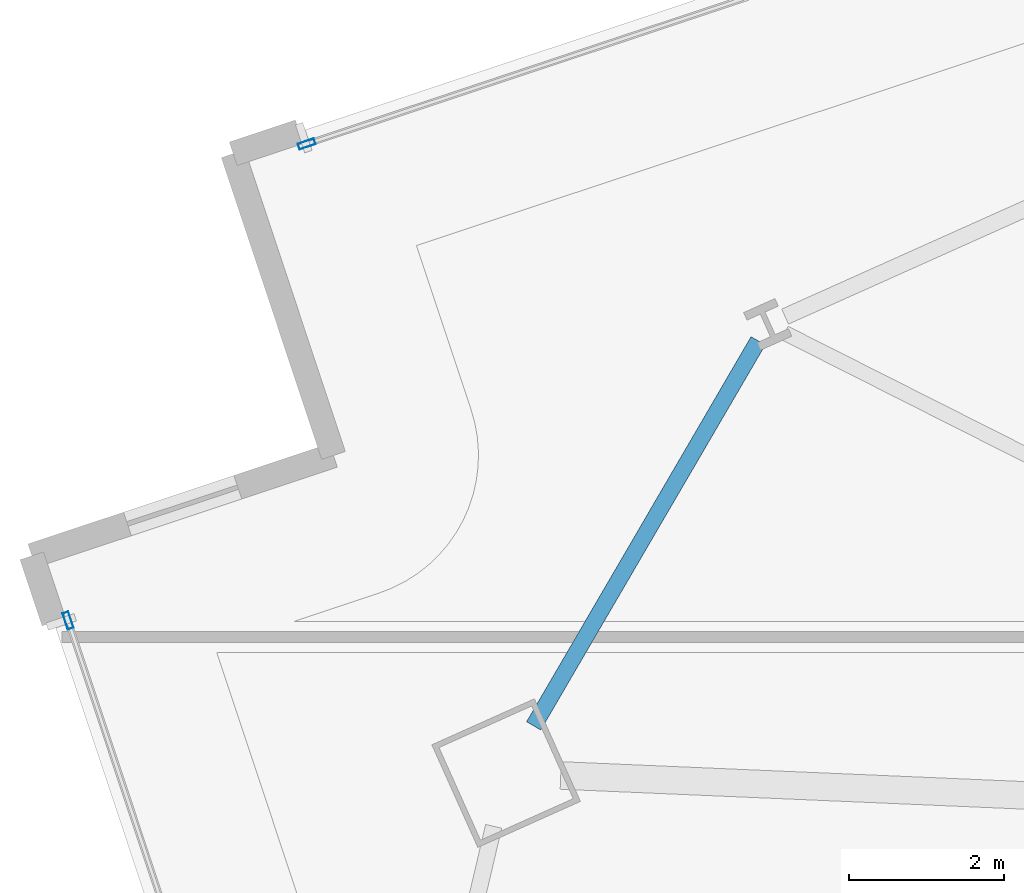
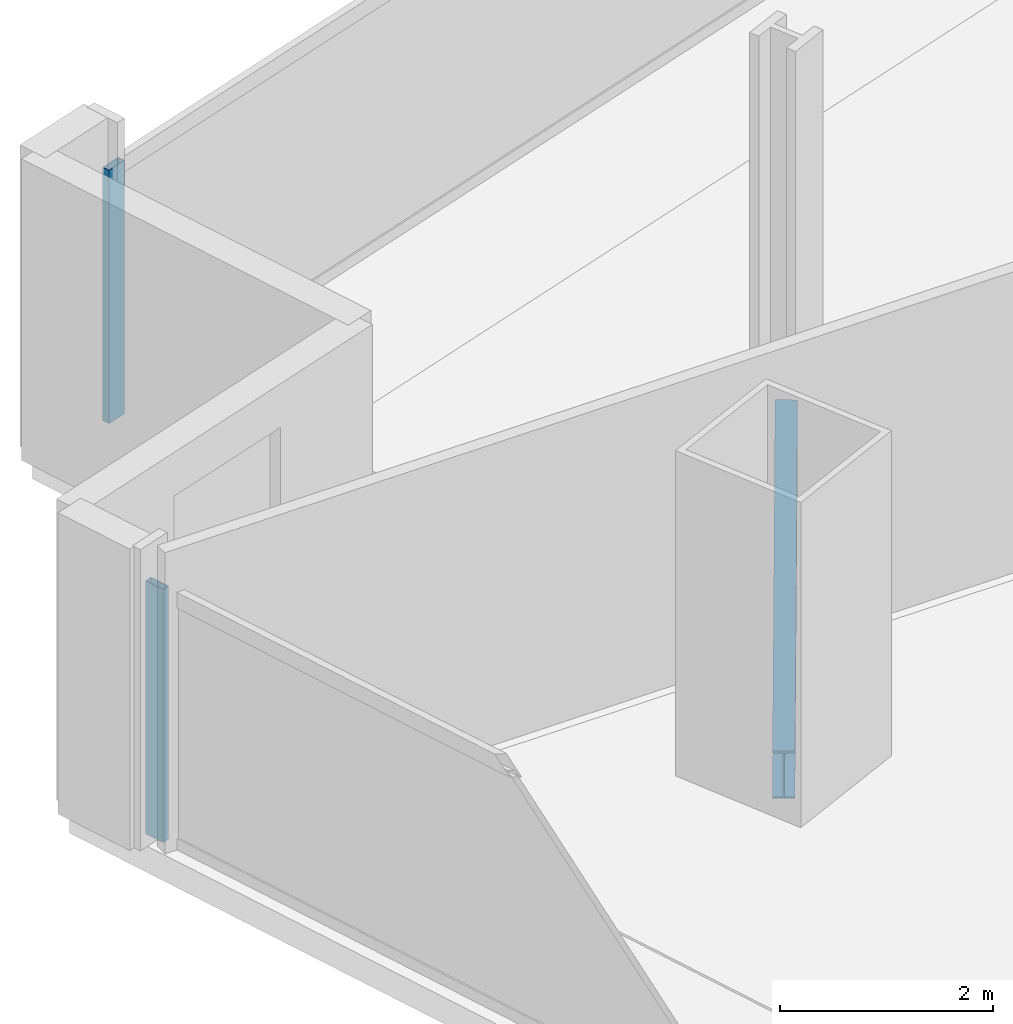
# One storey, part 16 of 34: 2 members, 1 beam, 2 elements without a shape of their own.
"""IFC4 building model written with IfcOpenShell, lengths in metres."""

from ifc_helpers import new_model, si_unit, direction, frame, origin, origin_2d, place, context, subcontext, project, spatial, hollow_rectangle, i_section, extrude, material, material_profile, profile_set, type_object, element, aggregate, save


model = new_model("IFC4")

# Units and contexts
model_context = context("Model", 3, precision=1e-05, world=origin(), true_north=direction((0.0, 1.0)))
body_context = subcontext(model_context, "Body", "Model", "MODEL_VIEW")
ifc_project = project(units=[si_unit("LENGTHUNIT", "METRE"), si_unit("AREAUNIT", "SQUARE_METRE"), si_unit("VOLUMEUNIT", "CUBIC_METRE"), si_unit("PLANEANGLEUNIT", "RADIAN"), si_unit("MASSUNIT", "GRAM", prefix="KILO")], contexts=[model_context])

# Site, building, storey
site_placement = place(None, origin())
site = spatial("IfcSite", under=ifc_project, at=site_placement, CompositionType="ELEMENT")
building_placement = place(site_placement, origin())
building = spatial("IfcBuilding", under=site, at=building_placement, Name="Haldenkirk Collegiate Tower", CompositionType="ELEMENT")
storey_placement = place(building_placement, frame((0.0, 0.0, 90.449951171875)))
storey = spatial("IfcBuildingStorey", under=building, at=storey_placement, Name="L21", CompositionType="ELEMENT", Elevation=90.449951171875)

# Beam
ifc_material_1 = material(Name="Steel ASTM A992 Grade 50", Category="steel")
ifc_material_profile_1 = material_profile(ifc_material_1, i_section(OverallWidth=0.2119140625, OverallDepth=0.5439453125, WebThickness=0.01318359375, FlangeThickness=0.021240234375, at=origin_2d()), Name="W21X83")
ifc_profile_set_1 = profile_set([ifc_material_profile_1], Name="Steel ASTM A992 Grade 50")
beam_type = type_object("IfcBeamType", Name="BM-SPANDREL-W21X83", PredefinedType="SPANDREL", material=ifc_profile_set_1)
beam_placement = place(storey_placement, frame((14.035888671875, 40.27001953125, -0.572021484375), z_axis=(-0.503649179098, -0.863908273137, 0.0), x_axis=(0.863908273137, -0.503649179098, 0.0)))
element("IfcBeam", 1, at=beam_placement, inside=storey, type_object=beam_type, Name="L21 perimeter spandrel beam 12", PredefinedType="SPANDREL", context=body_context, shape_type="SweptSolid", body=[
    extrude(i_section(OverallWidth=0.2119140625, OverallDepth=0.5439453125, WebThickness=0.01318359375, FlangeThickness=0.021240234375, at=origin_2d()), origin(), (0.0, 0.0, 1.0), 5.748046875),
])

# Curtain wall, member
ifc_material_2 = material(Name="Anodised architectural bronze aluminium", Category="aluminium")
curtain_wall_type = type_object("IfcCurtainWallType", Name="CW-SYS1-CONVEX-LOW", PredefinedType="USERDEFINED", material=ifc_material_2)
curtain_wall_1_placement = place(storey_placement, origin())
curtain_wall_1 = element("IfcCurtainWall", 2, at=curtain_wall_1_placement, inside=storey, type_object=curtain_wall_type, Name="L21 Lower tower convex bronze-framed unitised curtain wall", ObjectType="UNITISED CURTAIN WALL", PredefinedType="USERDEFINED")
ifc_material_profile_2 = material_profile(ifc_material_2, hollow_rectangle(XDim=0.080078125, YDim=0.219970703125, WallThickness=0.0048828125, at=origin_2d()), Name="CW-MUL-1A")
ifc_profile_set_2 = profile_set([ifc_material_profile_2], Name="Anodised architectural bronze aluminium")
member_type = type_object("IfcMemberType", Name="CW-MUL-1A", PredefinedType="MULLION", material=ifc_profile_set_2)
member_1_placement = place(storey_placement, frame((8.2138671875, 42.80859375, 0.0), z_axis=(0.0, 0.0, 1.0), x_axis=(-0.315649744417, 0.9488757763, 0.0)))
member_1 = element("IfcMember", 3, at=member_1_placement, type_object=member_type, Name="CW-1A mullion 1", PredefinedType="MULLION", context=body_context, shape_type="SweptSolid", body=[
    extrude(hollow_rectangle(XDim=0.080078125, YDim=0.219970703125, WallThickness=0.0048828125, at=origin_2d()), origin(), (0.0, 0.0, 1.0), 2.901123046875),
])
aggregate(curtain_wall_1, [member_1])

curtain_wall_2_placement = place(storey_placement, origin())
curtain_wall_2 = element("IfcCurtainWall", 4, at=curtain_wall_2_placement, inside=storey, type_object=curtain_wall_type, Name="L21 Lower tower convex bronze-framed unitised curtain wall", ObjectType="UNITISED CURTAIN WALL", PredefinedType="USERDEFINED")
member_2_placement = place(storey_placement, frame((5.13623046875, 36.6630859375, 0.0), z_axis=(0.0, 0.0, 1.0), x_axis=(-0.948875761641, -0.315649788486, 0.0)))
member_2 = element("IfcMember", 5, at=member_2_placement, type_object=member_type, Name="CW-1A mullion 5", PredefinedType="MULLION", context=body_context, shape_type="SweptSolid", body=[
    extrude(hollow_rectangle(XDim=0.080078125, YDim=0.219970703125, WallThickness=0.0048828125, at=origin_2d()), origin(), (0.0, 0.0, 1.0), 2.901123046875),
])
aggregate(curtain_wall_2, [member_2])

save(model, "model.ifc")
